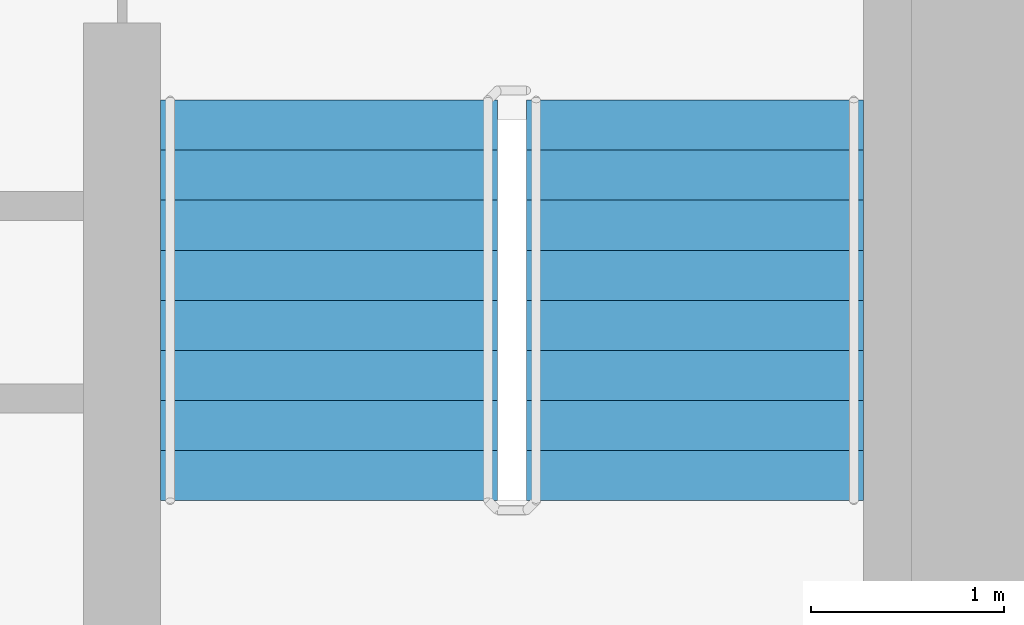
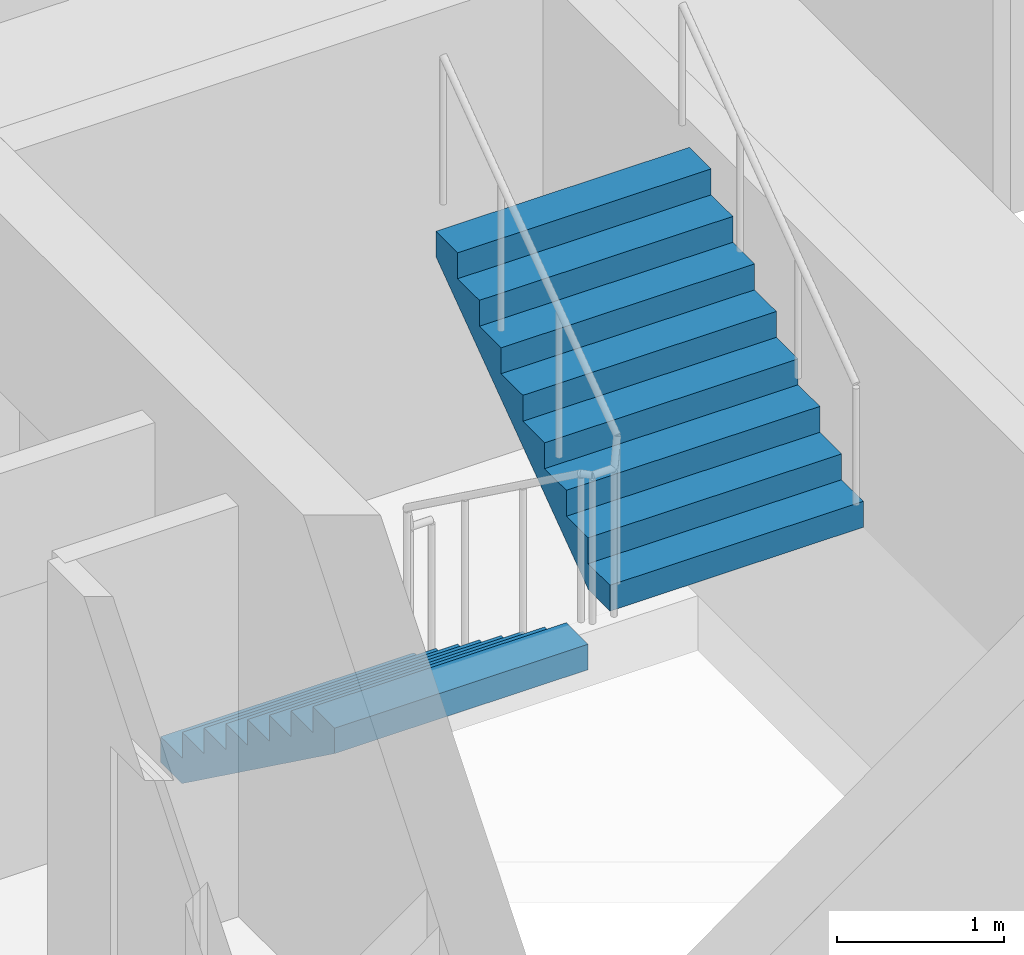
# One storey, part 17 of 21: 2 stair flights, 1 element without a shape of its own.
"""IFC4 building model written with IfcOpenShell, lengths in metres."""

from ifc_helpers import new_model, si_unit, direction, frame, origin, place, context, subcontext, project, spatial, faceted_brep, material, type_object, element, aggregate, save


model = new_model("IFC4")

# Units and contexts
model_context = context("Model", 3, precision=1e-05, world=origin(), true_north=direction((0.0, 1.0)))
body_context = subcontext(model_context, "Body", "Model", "MODEL_VIEW")
ifc_project = project(units=[si_unit("LENGTHUNIT", "METRE"), si_unit("AREAUNIT", "SQUARE_METRE"), si_unit("VOLUMEUNIT", "CUBIC_METRE"), si_unit("PLANEANGLEUNIT", "RADIAN"), si_unit("MASSUNIT", "GRAM", prefix="KILO")], contexts=[model_context])

# Site, building, storey
site_placement = place(None, origin())
site = spatial("IfcSite", under=ifc_project, at=site_placement, CompositionType="ELEMENT")
building_placement = place(site_placement, origin())
building = spatial("IfcBuilding", under=site, at=building_placement, Name="Ipe Terrace Towers", CompositionType="ELEMENT")
storey_placement = place(building_placement, frame((0.0, 0.0, 86.800048828125)))
storey = spatial("IfcBuildingStorey", under=building, at=storey_placement, Name="L23", CompositionType="ELEMENT", Elevation=86.800048828125)

# Stair, stair flights
ifc_material_1 = material(Name="Concrete C30/37", Category="concrete")
stair_type = type_object("IfcStairType", Name="Protected exit stair", PredefinedType="HALF_TURN_STAIR", material=ifc_material_1)
stair_placement = place(storey_placement, origin())
stair = element("IfcStair", 1, at=stair_placement, inside=storey, type_object=stair_type, Name="L23 Exit stair T2-C2", PredefinedType="HALF_TURN_STAIR")
ifc_material_2 = material(Name="Concrete C30/37", Category="concrete")
stair_flight_type = type_object("IfcStairFlightType", Name="Exit stair flight 1750", PredefinedType="STRAIGHT", material=ifc_material_2)
stair_flight_1_placement = place(storey_placement, frame((38.77490234375, -9.699951171875, 0.0), z_axis=(0.0, 0.0, 1.0), x_axis=(0.0, -1.0, 0.0)))
stair_flight_1 = element("IfcStairFlight", 2, at=stair_flight_1_placement, type_object=stair_flight_type, Name="T2-ST2 flight 1", NumberOfRisers=9, NumberOfTreads=8, PredefinedType="STRAIGHT", RiserHeight=0.188888889, TreadLength=0.26, context=body_context, shape_type="Brep", body=[
    faceted_brep([(0.255126953125, -0.875, 0.0), (2.080078125, -0.875, 1.325927734375), (2.080078125, -0.875, 1.51123046875), (1.820068359375, -0.875, 1.51123046875), (1.820068359375, -0.875, 1.322265625), (1.56005859375, -0.875, 1.322265625), (1.56005859375, -0.875, 1.13330078125), (1.300048828125, -0.875, 1.13330078125), (1.300048828125, -0.875, 0.9443359375), (1.0400390625, -0.875, 0.9443359375), (1.0400390625, -0.875, 0.755615234375), (0.780029296875, -0.875, 0.755615234375), (0.780029296875, -0.875, 0.566650390625), (0.52001953125, -0.875, 0.566650390625), (0.52001953125, -0.875, 0.377685546875), (0.260009765625, -0.875, 0.377685546875), (0.260009765625, -0.875, 0.18896484375), (0.0, -0.875, 0.18896484375), (0.0, -0.875, 0.0), (0.0, 0.875, 0.0), (0.0, 0.875, 0.18896484375), (0.260009765625, 0.875, 0.18896484375), (0.260009765625, 0.875, 0.377685546875), (0.52001953125, 0.875, 0.377685546875), (0.52001953125, 0.875, 0.566650390625), (0.780029296875, 0.875, 0.566650390625), (0.780029296875, 0.875, 0.755615234375), (1.0400390625, 0.875, 0.755615234375), (1.0400390625, 0.875, 0.9443359375), (1.300048828125, 0.875, 0.9443359375), (1.300048828125, 0.875, 1.13330078125), (1.56005859375, 0.875, 1.13330078125), (1.56005859375, 0.875, 1.322265625), (1.820068359375, 0.875, 1.322265625), (1.820068359375, 0.875, 1.51123046875), (2.080078125, 0.875, 1.51123046875), (2.080078125, 0.875, 1.325927734375), (0.255126953125, 0.875, 0.0), (0.0, -0.300048828125, 0.18896484375), (0.0, -0.1201171875, 0.18896484375), (0.0, -0.06005859375, 0.18896484375), (0.0, -0.030029296875, 0.18896484375), (0.0, -0.010009765625, 0.18896484375), (0.0, 0.0, 0.18896484375), (0.0, 0.010009765625, 0.18896484375), (0.0, 0.030029296875, 0.18896484375), (0.0, 0.06005859375, 0.18896484375), (0.0, 0.1201171875, 0.18896484375), (0.0, 0.300048828125, 0.18896484375), (0.0, 0.300048828125, 0.0), (0.0, 0.1201171875, 0.0), (0.0, 0.06005859375, 0.0), (0.0, 0.030029296875, 0.0), (0.0, 0.010009765625, 0.0), (0.0, 0.0, 0.0), (0.0, -0.010009765625, 0.0), (0.0, -0.030029296875, 0.0), (0.0, -0.06005859375, 0.0), (0.0, -0.1201171875, 0.0), (0.0, -0.300048828125, 0.0), (0.260009765625, -0.300048828125, 0.18896484375), (0.260009765625, -0.1201171875, 0.18896484375), (0.260009765625, -0.06005859375, 0.18896484375), (0.260009765625, -0.030029296875, 0.18896484375), (0.260009765625, -0.010009765625, 0.18896484375), (0.260009765625, 0.0, 0.18896484375), (0.260009765625, 0.010009765625, 0.18896484375), (0.260009765625, 0.030029296875, 0.18896484375), (0.260009765625, 0.06005859375, 0.18896484375), (0.260009765625, 0.1201171875, 0.18896484375), (0.260009765625, 0.300048828125, 0.18896484375), (0.260009765625, -0.300048828125, 0.377685546875), (0.260009765625, -0.1201171875, 0.377685546875), (0.260009765625, -0.06005859375, 0.377685546875), (0.260009765625, -0.030029296875, 0.377685546875), (0.260009765625, -0.010009765625, 0.377685546875), (0.260009765625, 0.0, 0.377685546875), (0.260009765625, 0.010009765625, 0.377685546875), (0.260009765625, 0.030029296875, 0.377685546875), (0.260009765625, 0.06005859375, 0.377685546875), (0.260009765625, 0.1201171875, 0.377685546875), (0.260009765625, 0.300048828125, 0.377685546875), (0.52001953125, -0.300048828125, 0.377685546875), (0.52001953125, -0.1201171875, 0.377685546875), (0.52001953125, -0.06005859375, 0.377685546875), (0.52001953125, -0.030029296875, 0.377685546875), (0.52001953125, -0.010009765625, 0.377685546875), (0.52001953125, 0.0, 0.377685546875), (0.52001953125, 0.010009765625, 0.377685546875), (0.52001953125, 0.030029296875, 0.377685546875), (0.52001953125, 0.06005859375, 0.377685546875), (0.52001953125, 0.1201171875, 0.377685546875), (0.52001953125, 0.300048828125, 0.377685546875), (0.52001953125, -0.300048828125, 0.566650390625), (0.52001953125, -0.1201171875, 0.566650390625), (0.52001953125, -0.06005859375, 0.566650390625), (0.52001953125, -0.030029296875, 0.566650390625), (0.52001953125, -0.010009765625, 0.566650390625), (0.52001953125, 0.0, 0.566650390625), (0.52001953125, 0.010009765625, 0.566650390625), (0.52001953125, 0.030029296875, 0.566650390625), (0.52001953125, 0.06005859375, 0.566650390625), (0.52001953125, 0.1201171875, 0.566650390625), (0.52001953125, 0.300048828125, 0.566650390625), (0.780029296875, -0.300048828125, 0.566650390625), (0.780029296875, -0.1201171875, 0.566650390625), (0.780029296875, -0.06005859375, 0.566650390625), (0.780029296875, -0.030029296875, 0.566650390625), (0.780029296875, -0.010009765625, 0.566650390625), (0.780029296875, 0.0, 0.566650390625), (0.780029296875, 0.010009765625, 0.566650390625), (0.780029296875, 0.030029296875, 0.566650390625), (0.780029296875, 0.06005859375, 0.566650390625), (0.780029296875, 0.1201171875, 0.566650390625), (0.780029296875, 0.300048828125, 0.566650390625), (0.780029296875, -0.300048828125, 0.755615234375), (0.780029296875, -0.1201171875, 0.755615234375), (0.780029296875, -0.06005859375, 0.755615234375), (0.780029296875, -0.030029296875, 0.755615234375), (0.780029296875, -0.010009765625, 0.755615234375), (0.780029296875, 0.0, 0.755615234375), (0.780029296875, 0.010009765625, 0.755615234375), (0.780029296875, 0.030029296875, 0.755615234375), (0.780029296875, 0.06005859375, 0.755615234375), (0.780029296875, 0.1201171875, 0.755615234375), (0.780029296875, 0.300048828125, 0.755615234375), (1.0400390625, -0.300048828125, 0.755615234375), (1.0400390625, -0.1201171875, 0.755615234375), (1.0400390625, -0.06005859375, 0.755615234375), (1.0400390625, -0.030029296875, 0.755615234375), (1.0400390625, -0.010009765625, 0.755615234375), (1.0400390625, 0.0, 0.755615234375), (1.0400390625, 0.010009765625, 0.755615234375), (1.0400390625, 0.030029296875, 0.755615234375), (1.0400390625, 0.06005859375, 0.755615234375), (1.0400390625, 0.1201171875, 0.755615234375), (1.0400390625, 0.300048828125, 0.755615234375), (1.0400390625, -0.300048828125, 0.9443359375), (1.0400390625, -0.1201171875, 0.9443359375), (1.0400390625, -0.06005859375, 0.9443359375), (1.0400390625, -0.030029296875, 0.9443359375), (1.0400390625, -0.010009765625, 0.9443359375), (1.0400390625, 0.0, 0.9443359375), (1.0400390625, 0.010009765625, 0.9443359375), (1.0400390625, 0.030029296875, 0.9443359375), (1.0400390625, 0.06005859375, 0.9443359375), (1.0400390625, 0.1201171875, 0.9443359375), (1.0400390625, 0.300048828125, 0.9443359375), (1.300048828125, -0.300048828125, 0.9443359375), (1.300048828125, -0.1201171875, 0.9443359375), (1.300048828125, -0.06005859375, 0.9443359375), (1.300048828125, -0.030029296875, 0.9443359375), (1.300048828125, -0.010009765625, 0.9443359375), (1.300048828125, 0.0, 0.9443359375), (1.300048828125, 0.010009765625, 0.9443359375), (1.300048828125, 0.030029296875, 0.9443359375), (1.300048828125, 0.06005859375, 0.9443359375), (1.300048828125, 0.1201171875, 0.9443359375), (1.300048828125, 0.300048828125, 0.9443359375), (1.300048828125, -0.300048828125, 1.13330078125), (1.300048828125, -0.1201171875, 1.13330078125), (1.300048828125, -0.06005859375, 1.13330078125), (1.300048828125, -0.030029296875, 1.13330078125), (1.300048828125, -0.010009765625, 1.13330078125), (1.300048828125, 0.0, 1.13330078125), (1.300048828125, 0.010009765625, 1.13330078125), (1.300048828125, 0.030029296875, 1.13330078125), (1.300048828125, 0.06005859375, 1.13330078125), (1.300048828125, 0.1201171875, 1.13330078125), (1.300048828125, 0.300048828125, 1.13330078125), (1.56005859375, -0.300048828125, 1.13330078125), (1.56005859375, -0.1201171875, 1.13330078125), (1.56005859375, -0.06005859375, 1.13330078125), (1.56005859375, -0.030029296875, 1.13330078125), (1.56005859375, -0.010009765625, 1.13330078125), (1.56005859375, 0.0, 1.13330078125), (1.56005859375, 0.010009765625, 1.13330078125), (1.56005859375, 0.030029296875, 1.13330078125), (1.56005859375, 0.06005859375, 1.13330078125), (1.56005859375, 0.1201171875, 1.13330078125), (1.56005859375, 0.300048828125, 1.13330078125), (1.56005859375, -0.300048828125, 1.322265625), (1.56005859375, -0.1201171875, 1.322265625), (1.56005859375, -0.06005859375, 1.322265625), (1.56005859375, -0.030029296875, 1.322265625), (1.56005859375, -0.010009765625, 1.322265625), (1.56005859375, 0.0, 1.322265625), (1.56005859375, 0.010009765625, 1.322265625), (1.56005859375, 0.030029296875, 1.322265625), (1.56005859375, 0.06005859375, 1.322265625), (1.56005859375, 0.1201171875, 1.322265625), (1.56005859375, 0.300048828125, 1.322265625), (1.820068359375, -0.300048828125, 1.322265625), (1.820068359375, -0.1201171875, 1.322265625), (1.820068359375, -0.06005859375, 1.322265625), (1.820068359375, -0.030029296875, 1.322265625), (1.820068359375, -0.010009765625, 1.322265625), (1.820068359375, 0.0, 1.322265625), (1.820068359375, 0.010009765625, 1.322265625), (1.820068359375, 0.030029296875, 1.322265625), (1.820068359375, 0.06005859375, 1.322265625), (1.820068359375, 0.1201171875, 1.322265625), (1.820068359375, 0.300048828125, 1.322265625), (1.820068359375, -0.300048828125, 1.51123046875), (1.820068359375, -0.1201171875, 1.51123046875), (1.820068359375, -0.06005859375, 1.51123046875), (1.820068359375, -0.030029296875, 1.51123046875), (1.820068359375, -0.010009765625, 1.51123046875), (1.820068359375, 0.0, 1.51123046875), (1.820068359375, 0.010009765625, 1.51123046875), (1.820068359375, 0.030029296875, 1.51123046875), (1.820068359375, 0.06005859375, 1.51123046875), (1.820068359375, 0.1201171875, 1.51123046875), (1.820068359375, 0.300048828125, 1.51123046875), (2.080078125, -0.300048828125, 1.51123046875), (2.080078125, -0.1201171875, 1.51123046875), (2.080078125, -0.06005859375, 1.51123046875), (2.080078125, -0.030029296875, 1.51123046875), (2.080078125, -0.010009765625, 1.51123046875), (2.080078125, 0.0, 1.51123046875), (2.080078125, 0.010009765625, 1.51123046875), (2.080078125, 0.030029296875, 1.51123046875), (2.080078125, 0.06005859375, 1.51123046875), (2.080078125, 0.1201171875, 1.51123046875), (2.080078125, 0.300048828125, 1.51123046875), (2.080078125, -0.300048828125, 1.325927734375), (2.080078125, -0.1201171875, 1.325927734375), (2.080078125, -0.06005859375, 1.325927734375), (2.080078125, -0.030029296875, 1.325927734375), (2.080078125, -0.010009765625, 1.325927734375), (2.080078125, 0.0, 1.325927734375), (2.080078125, 0.010009765625, 1.325927734375), (2.080078125, 0.030029296875, 1.325927734375), (2.080078125, 0.06005859375, 1.325927734375), (2.080078125, 0.1201171875, 1.325927734375), (2.080078125, 0.300048828125, 1.325927734375), (0.255126953125, -0.300048828125, 0.0), (0.255126953125, -0.1201171875, 0.0), (0.255126953125, -0.06005859375, 0.0), (0.255126953125, -0.030029296875, 0.0), (0.255126953125, -0.010009765625, 0.0), (0.255126953125, 0.0, 0.0), (0.255126953125, 0.010009765625, 0.0), (0.255126953125, 0.030029296875, 0.0), (0.255126953125, 0.06005859375, 0.0), (0.255126953125, 0.1201171875, 0.0), (0.255126953125, 0.300048828125, 0.0)], [[[0, 1, 2, 3, 4, 5, 6, 7, 8, 9, 10, 11, 12, 13, 14, 15, 16, 17, 18]], [[19, 20, 21, 22, 23, 24, 25, 26, 27, 28, 29, 30, 31, 32, 33, 34, 35, 36, 37]], [[17, 38, 39, 40, 41, 42, 43, 44, 45, 46, 47, 48, 20, 19, 49, 50, 51, 52, 53, 54, 55, 56, 57, 58, 59, 18]], [[16, 60, 61, 62, 63, 64, 65, 66, 67, 68, 69, 70, 21, 20, 48, 47, 46, 45, 44, 43, 42, 41, 40, 39, 38, 17]], [[15, 71, 72, 73, 74, 75, 76, 77, 78, 79, 80, 81, 22, 21, 70, 69, 68, 67, 66, 65, 64, 63, 62, 61, 60, 16]], [[14, 82, 83, 84, 85, 86, 87, 88, 89, 90, 91, 92, 23, 22, 81, 80, 79, 78, 77, 76, 75, 74, 73, 72, 71, 15]], [[13, 93, 94, 95, 96, 97, 98, 99, 100, 101, 102, 103, 24, 23, 92, 91, 90, 89, 88, 87, 86, 85, 84, 83, 82, 14]], [[12, 104, 105, 106, 107, 108, 109, 110, 111, 112, 113, 114, 25, 24, 103, 102, 101, 100, 99, 98, 97, 96, 95, 94, 93, 13]], [[11, 115, 116, 117, 118, 119, 120, 121, 122, 123, 124, 125, 26, 25, 114, 113, 112, 111, 110, 109, 108, 107, 106, 105, 104, 12]], [[10, 126, 127, 128, 129, 130, 131, 132, 133, 134, 135, 136, 27, 26, 125, 124, 123, 122, 121, 120, 119, 118, 117, 116, 115, 11]], [[9, 137, 138, 139, 140, 141, 142, 143, 144, 145, 146, 147, 28, 27, 136, 135, 134, 133, 132, 131, 130, 129, 128, 127, 126, 10]], [[8, 148, 149, 150, 151, 152, 153, 154, 155, 156, 157, 158, 29, 28, 147, 146, 145, 144, 143, 142, 141, 140, 139, 138, 137, 9]], [[7, 159, 160, 161, 162, 163, 164, 165, 166, 167, 168, 169, 30, 29, 158, 157, 156, 155, 154, 153, 152, 151, 150, 149, 148, 8]], [[6, 170, 171, 172, 173, 174, 175, 176, 177, 178, 179, 180, 31, 30, 169, 168, 167, 166, 165, 164, 163, 162, 161, 160, 159, 7]], [[5, 181, 182, 183, 184, 185, 186, 187, 188, 189, 190, 191, 32, 31, 180, 179, 178, 177, 176, 175, 174, 173, 172, 171, 170, 6]], [[4, 192, 193, 194, 195, 196, 197, 198, 199, 200, 201, 202, 33, 32, 191, 190, 189, 188, 187, 186, 185, 184, 183, 182, 181, 5]], [[3, 203, 204, 205, 206, 207, 208, 209, 210, 211, 212, 213, 34, 33, 202, 201, 200, 199, 198, 197, 196, 195, 194, 193, 192, 4]], [[2, 214, 215, 216, 217, 218, 219, 220, 221, 222, 223, 224, 35, 34, 213, 212, 211, 210, 209, 208, 207, 206, 205, 204, 203, 3]], [[1, 225, 226, 227, 228, 229, 230, 231, 232, 233, 234, 235, 36, 35, 224, 223, 222, 221, 220, 219, 218, 217, 216, 215, 214, 2]], [[0, 236, 237, 238, 239, 240, 241, 242, 243, 244, 245, 246, 37, 36, 235, 234, 233, 232, 231, 230, 229, 228, 227, 226, 225, 1]], [[18, 59, 58, 57, 56, 55, 54, 53, 52, 51, 50, 49, 19, 37, 246, 245, 244, 243, 242, 241, 240, 239, 238, 237, 236, 0]]]),
])
stair_flight_2_placement = place(storey_placement, frame((40.675048828125, -11.780029296875, 1.699951171875), z_axis=(0.0, 0.0, 1.0), x_axis=(0.0, 1.0, 0.0)))
stair_flight_2 = element("IfcStairFlight", 3, at=stair_flight_2_placement, type_object=stair_flight_type, Name="T2-ST2 flight 2", NumberOfRisers=9, NumberOfTreads=8, PredefinedType="STRAIGHT", RiserHeight=0.188888889, TreadLength=0.26, context=body_context, shape_type="Brep", body=[
    faceted_brep([(0.255126953125, -0.875, 0.0), (2.080078125, -0.875, 1.325927734375), (2.080078125, -0.875, 1.51123046875), (1.820068359375, -0.875, 1.51123046875), (1.820068359375, -0.875, 1.322265625), (1.56005859375, -0.875, 1.322265625), (1.56005859375, -0.875, 1.13330078125), (1.300048828125, -0.875, 1.13330078125), (1.300048828125, -0.875, 0.9443359375), (1.0400390625, -0.875, 0.9443359375), (1.0400390625, -0.875, 0.755615234375), (0.780029296875, -0.875, 0.755615234375), (0.780029296875, -0.875, 0.566650390625), (0.52001953125, -0.875, 0.566650390625), (0.52001953125, -0.875, 0.377685546875), (0.260009765625, -0.875, 0.377685546875), (0.260009765625, -0.875, 0.18896484375), (0.0, -0.875, 0.18896484375), (0.0, -0.875, 0.0), (0.0, 0.875, 0.0), (0.0, 0.875, 0.18896484375), (0.260009765625, 0.875, 0.18896484375), (0.260009765625, 0.875, 0.377685546875), (0.52001953125, 0.875, 0.377685546875), (0.52001953125, 0.875, 0.566650390625), (0.780029296875, 0.875, 0.566650390625), (0.780029296875, 0.875, 0.755615234375), (1.0400390625, 0.875, 0.755615234375), (1.0400390625, 0.875, 0.9443359375), (1.300048828125, 0.875, 0.9443359375), (1.300048828125, 0.875, 1.13330078125), (1.56005859375, 0.875, 1.13330078125), (1.56005859375, 0.875, 1.322265625), (1.820068359375, 0.875, 1.322265625), (1.820068359375, 0.875, 1.51123046875), (2.080078125, 0.875, 1.51123046875), (2.080078125, 0.875, 1.325927734375), (0.255126953125, 0.875, 0.0), (0.0, -0.300048828125, 0.18896484375), (0.0, -0.1201171875, 0.18896484375), (0.0, -0.06005859375, 0.18896484375), (0.0, -0.030029296875, 0.18896484375), (0.0, -0.010009765625, 0.18896484375), (0.0, 0.0, 0.18896484375), (0.0, 0.010009765625, 0.18896484375), (0.0, 0.030029296875, 0.18896484375), (0.0, 0.06005859375, 0.18896484375), (0.0, 0.1201171875, 0.18896484375), (0.0, 0.300048828125, 0.18896484375), (0.0, 0.300048828125, 0.0), (0.0, 0.1201171875, 0.0), (0.0, 0.06005859375, 0.0), (0.0, 0.030029296875, 0.0), (0.0, 0.010009765625, 0.0), (0.0, 0.0, 0.0), (0.0, -0.010009765625, 0.0), (0.0, -0.030029296875, 0.0), (0.0, -0.06005859375, 0.0), (0.0, -0.1201171875, 0.0), (0.0, -0.300048828125, 0.0), (0.260009765625, -0.300048828125, 0.18896484375), (0.260009765625, -0.1201171875, 0.18896484375), (0.260009765625, -0.06005859375, 0.18896484375), (0.260009765625, -0.030029296875, 0.18896484375), (0.260009765625, -0.010009765625, 0.18896484375), (0.260009765625, 0.0, 0.18896484375), (0.260009765625, 0.010009765625, 0.18896484375), (0.260009765625, 0.030029296875, 0.18896484375), (0.260009765625, 0.06005859375, 0.18896484375), (0.260009765625, 0.1201171875, 0.18896484375), (0.260009765625, 0.300048828125, 0.18896484375), (0.260009765625, -0.300048828125, 0.377685546875), (0.260009765625, -0.1201171875, 0.377685546875), (0.260009765625, -0.06005859375, 0.377685546875), (0.260009765625, -0.030029296875, 0.377685546875), (0.260009765625, -0.010009765625, 0.377685546875), (0.260009765625, 0.0, 0.377685546875), (0.260009765625, 0.010009765625, 0.377685546875), (0.260009765625, 0.030029296875, 0.377685546875), (0.260009765625, 0.06005859375, 0.377685546875), (0.260009765625, 0.1201171875, 0.377685546875), (0.260009765625, 0.300048828125, 0.377685546875), (0.52001953125, -0.300048828125, 0.377685546875), (0.52001953125, -0.1201171875, 0.377685546875), (0.52001953125, -0.06005859375, 0.377685546875), (0.52001953125, -0.030029296875, 0.377685546875), (0.52001953125, -0.010009765625, 0.377685546875), (0.52001953125, 0.0, 0.377685546875), (0.52001953125, 0.010009765625, 0.377685546875), (0.52001953125, 0.030029296875, 0.377685546875), (0.52001953125, 0.06005859375, 0.377685546875), (0.52001953125, 0.1201171875, 0.377685546875), (0.52001953125, 0.300048828125, 0.377685546875), (0.52001953125, -0.300048828125, 0.566650390625), (0.52001953125, -0.1201171875, 0.566650390625), (0.52001953125, -0.06005859375, 0.566650390625), (0.52001953125, -0.030029296875, 0.566650390625), (0.52001953125, -0.010009765625, 0.566650390625), (0.52001953125, 0.0, 0.566650390625), (0.52001953125, 0.010009765625, 0.566650390625), (0.52001953125, 0.030029296875, 0.566650390625), (0.52001953125, 0.06005859375, 0.566650390625), (0.52001953125, 0.1201171875, 0.566650390625), (0.52001953125, 0.300048828125, 0.566650390625), (0.780029296875, -0.300048828125, 0.566650390625), (0.780029296875, -0.1201171875, 0.566650390625), (0.780029296875, -0.06005859375, 0.566650390625), (0.780029296875, -0.030029296875, 0.566650390625), (0.780029296875, -0.010009765625, 0.566650390625), (0.780029296875, 0.0, 0.566650390625), (0.780029296875, 0.010009765625, 0.566650390625), (0.780029296875, 0.030029296875, 0.566650390625), (0.780029296875, 0.06005859375, 0.566650390625), (0.780029296875, 0.1201171875, 0.566650390625), (0.780029296875, 0.300048828125, 0.566650390625), (0.780029296875, -0.300048828125, 0.755615234375), (0.780029296875, -0.1201171875, 0.755615234375), (0.780029296875, -0.06005859375, 0.755615234375), (0.780029296875, -0.030029296875, 0.755615234375), (0.780029296875, -0.010009765625, 0.755615234375), (0.780029296875, 0.0, 0.755615234375), (0.780029296875, 0.010009765625, 0.755615234375), (0.780029296875, 0.030029296875, 0.755615234375), (0.780029296875, 0.06005859375, 0.755615234375), (0.780029296875, 0.1201171875, 0.755615234375), (0.780029296875, 0.300048828125, 0.755615234375), (1.0400390625, -0.300048828125, 0.755615234375), (1.0400390625, -0.1201171875, 0.755615234375), (1.0400390625, -0.06005859375, 0.755615234375), (1.0400390625, -0.030029296875, 0.755615234375), (1.0400390625, -0.010009765625, 0.755615234375), (1.0400390625, 0.0, 0.755615234375), (1.0400390625, 0.010009765625, 0.755615234375), (1.0400390625, 0.030029296875, 0.755615234375), (1.0400390625, 0.06005859375, 0.755615234375), (1.0400390625, 0.1201171875, 0.755615234375), (1.0400390625, 0.300048828125, 0.755615234375), (1.0400390625, -0.300048828125, 0.9443359375), (1.0400390625, -0.1201171875, 0.9443359375), (1.0400390625, -0.06005859375, 0.9443359375), (1.0400390625, -0.030029296875, 0.9443359375), (1.0400390625, -0.010009765625, 0.9443359375), (1.0400390625, 0.0, 0.9443359375), (1.0400390625, 0.010009765625, 0.9443359375), (1.0400390625, 0.030029296875, 0.9443359375), (1.0400390625, 0.06005859375, 0.9443359375), (1.0400390625, 0.1201171875, 0.9443359375), (1.0400390625, 0.300048828125, 0.9443359375), (1.300048828125, -0.300048828125, 0.9443359375), (1.300048828125, -0.1201171875, 0.9443359375), (1.300048828125, -0.06005859375, 0.9443359375), (1.300048828125, -0.030029296875, 0.9443359375), (1.300048828125, -0.010009765625, 0.9443359375), (1.300048828125, 0.0, 0.9443359375), (1.300048828125, 0.010009765625, 0.9443359375), (1.300048828125, 0.030029296875, 0.9443359375), (1.300048828125, 0.06005859375, 0.9443359375), (1.300048828125, 0.1201171875, 0.9443359375), (1.300048828125, 0.300048828125, 0.9443359375), (1.300048828125, -0.300048828125, 1.13330078125), (1.300048828125, -0.1201171875, 1.13330078125), (1.300048828125, -0.06005859375, 1.13330078125), (1.300048828125, -0.030029296875, 1.13330078125), (1.300048828125, -0.010009765625, 1.13330078125), (1.300048828125, 0.0, 1.13330078125), (1.300048828125, 0.010009765625, 1.13330078125), (1.300048828125, 0.030029296875, 1.13330078125), (1.300048828125, 0.06005859375, 1.13330078125), (1.300048828125, 0.1201171875, 1.13330078125), (1.300048828125, 0.300048828125, 1.13330078125), (1.56005859375, -0.300048828125, 1.13330078125), (1.56005859375, -0.1201171875, 1.13330078125), (1.56005859375, -0.06005859375, 1.13330078125), (1.56005859375, -0.030029296875, 1.13330078125), (1.56005859375, -0.010009765625, 1.13330078125), (1.56005859375, 0.0, 1.13330078125), (1.56005859375, 0.010009765625, 1.13330078125), (1.56005859375, 0.030029296875, 1.13330078125), (1.56005859375, 0.06005859375, 1.13330078125), (1.56005859375, 0.1201171875, 1.13330078125), (1.56005859375, 0.300048828125, 1.13330078125), (1.56005859375, -0.300048828125, 1.322265625), (1.56005859375, -0.1201171875, 1.322265625), (1.56005859375, -0.06005859375, 1.322265625), (1.56005859375, -0.030029296875, 1.322265625), (1.56005859375, -0.010009765625, 1.322265625), (1.56005859375, 0.0, 1.322265625), (1.56005859375, 0.010009765625, 1.322265625), (1.56005859375, 0.030029296875, 1.322265625), (1.56005859375, 0.06005859375, 1.322265625), (1.56005859375, 0.1201171875, 1.322265625), (1.56005859375, 0.300048828125, 1.322265625), (1.820068359375, -0.300048828125, 1.322265625), (1.820068359375, -0.1201171875, 1.322265625), (1.820068359375, -0.06005859375, 1.322265625), (1.820068359375, -0.030029296875, 1.322265625), (1.820068359375, -0.010009765625, 1.322265625), (1.820068359375, 0.0, 1.322265625), (1.820068359375, 0.010009765625, 1.322265625), (1.820068359375, 0.030029296875, 1.322265625), (1.820068359375, 0.06005859375, 1.322265625), (1.820068359375, 0.1201171875, 1.322265625), (1.820068359375, 0.300048828125, 1.322265625), (1.820068359375, -0.300048828125, 1.51123046875), (1.820068359375, -0.1201171875, 1.51123046875), (1.820068359375, -0.06005859375, 1.51123046875), (1.820068359375, -0.030029296875, 1.51123046875), (1.820068359375, -0.010009765625, 1.51123046875), (1.820068359375, 0.0, 1.51123046875), (1.820068359375, 0.010009765625, 1.51123046875), (1.820068359375, 0.030029296875, 1.51123046875), (1.820068359375, 0.06005859375, 1.51123046875), (1.820068359375, 0.1201171875, 1.51123046875), (1.820068359375, 0.300048828125, 1.51123046875), (2.080078125, -0.300048828125, 1.51123046875), (2.080078125, -0.1201171875, 1.51123046875), (2.080078125, -0.06005859375, 1.51123046875), (2.080078125, -0.030029296875, 1.51123046875), (2.080078125, -0.010009765625, 1.51123046875), (2.080078125, 0.0, 1.51123046875), (2.080078125, 0.010009765625, 1.51123046875), (2.080078125, 0.030029296875, 1.51123046875), (2.080078125, 0.06005859375, 1.51123046875), (2.080078125, 0.1201171875, 1.51123046875), (2.080078125, 0.300048828125, 1.51123046875), (2.080078125, -0.300048828125, 1.325927734375), (2.080078125, -0.1201171875, 1.325927734375), (2.080078125, -0.06005859375, 1.325927734375), (2.080078125, -0.030029296875, 1.325927734375), (2.080078125, -0.010009765625, 1.325927734375), (2.080078125, 0.0, 1.325927734375), (2.080078125, 0.010009765625, 1.325927734375), (2.080078125, 0.030029296875, 1.325927734375), (2.080078125, 0.06005859375, 1.325927734375), (2.080078125, 0.1201171875, 1.325927734375), (2.080078125, 0.300048828125, 1.325927734375), (0.255126953125, -0.300048828125, 0.0), (0.255126953125, -0.1201171875, 0.0), (0.255126953125, -0.06005859375, 0.0), (0.255126953125, -0.030029296875, 0.0), (0.255126953125, -0.010009765625, 0.0), (0.255126953125, 0.0, 0.0), (0.255126953125, 0.010009765625, 0.0), (0.255126953125, 0.030029296875, 0.0), (0.255126953125, 0.06005859375, 0.0), (0.255126953125, 0.1201171875, 0.0), (0.255126953125, 0.300048828125, 0.0)], [[[0, 1, 2, 3, 4, 5, 6, 7, 8, 9, 10, 11, 12, 13, 14, 15, 16, 17, 18]], [[19, 20, 21, 22, 23, 24, 25, 26, 27, 28, 29, 30, 31, 32, 33, 34, 35, 36, 37]], [[17, 38, 39, 40, 41, 42, 43, 44, 45, 46, 47, 48, 20, 19, 49, 50, 51, 52, 53, 54, 55, 56, 57, 58, 59, 18]], [[16, 60, 61, 62, 63, 64, 65, 66, 67, 68, 69, 70, 21, 20, 48, 47, 46, 45, 44, 43, 42, 41, 40, 39, 38, 17]], [[15, 71, 72, 73, 74, 75, 76, 77, 78, 79, 80, 81, 22, 21, 70, 69, 68, 67, 66, 65, 64, 63, 62, 61, 60, 16]], [[14, 82, 83, 84, 85, 86, 87, 88, 89, 90, 91, 92, 23, 22, 81, 80, 79, 78, 77, 76, 75, 74, 73, 72, 71, 15]], [[13, 93, 94, 95, 96, 97, 98, 99, 100, 101, 102, 103, 24, 23, 92, 91, 90, 89, 88, 87, 86, 85, 84, 83, 82, 14]], [[12, 104, 105, 106, 107, 108, 109, 110, 111, 112, 113, 114, 25, 24, 103, 102, 101, 100, 99, 98, 97, 96, 95, 94, 93, 13]], [[11, 115, 116, 117, 118, 119, 120, 121, 122, 123, 124, 125, 26, 25, 114, 113, 112, 111, 110, 109, 108, 107, 106, 105, 104, 12]], [[10, 126, 127, 128, 129, 130, 131, 132, 133, 134, 135, 136, 27, 26, 125, 124, 123, 122, 121, 120, 119, 118, 117, 116, 115, 11]], [[9, 137, 138, 139, 140, 141, 142, 143, 144, 145, 146, 147, 28, 27, 136, 135, 134, 133, 132, 131, 130, 129, 128, 127, 126, 10]], [[8, 148, 149, 150, 151, 152, 153, 154, 155, 156, 157, 158, 29, 28, 147, 146, 145, 144, 143, 142, 141, 140, 139, 138, 137, 9]], [[7, 159, 160, 161, 162, 163, 164, 165, 166, 167, 168, 169, 30, 29, 158, 157, 156, 155, 154, 153, 152, 151, 150, 149, 148, 8]], [[6, 170, 171, 172, 173, 174, 175, 176, 177, 178, 179, 180, 31, 30, 169, 168, 167, 166, 165, 164, 163, 162, 161, 160, 159, 7]], [[5, 181, 182, 183, 184, 185, 186, 187, 188, 189, 190, 191, 32, 31, 180, 179, 178, 177, 176, 175, 174, 173, 172, 171, 170, 6]], [[4, 192, 193, 194, 195, 196, 197, 198, 199, 200, 201, 202, 33, 32, 191, 190, 189, 188, 187, 186, 185, 184, 183, 182, 181, 5]], [[3, 203, 204, 205, 206, 207, 208, 209, 210, 211, 212, 213, 34, 33, 202, 201, 200, 199, 198, 197, 196, 195, 194, 193, 192, 4]], [[2, 214, 215, 216, 217, 218, 219, 220, 221, 222, 223, 224, 35, 34, 213, 212, 211, 210, 209, 208, 207, 206, 205, 204, 203, 3]], [[1, 225, 226, 227, 228, 229, 230, 231, 232, 233, 234, 235, 36, 35, 224, 223, 222, 221, 220, 219, 218, 217, 216, 215, 214, 2]], [[0, 236, 237, 238, 239, 240, 241, 242, 243, 244, 245, 246, 37, 36, 235, 234, 233, 232, 231, 230, 229, 228, 227, 226, 225, 1]], [[18, 59, 58, 57, 56, 55, 54, 53, 52, 51, 50, 49, 19, 37, 246, 245, 244, 243, 242, 241, 240, 239, 238, 237, 236, 0]]]),
])
aggregate(stair, [stair_flight_1, stair_flight_2])

save(model, "model.ifc")
